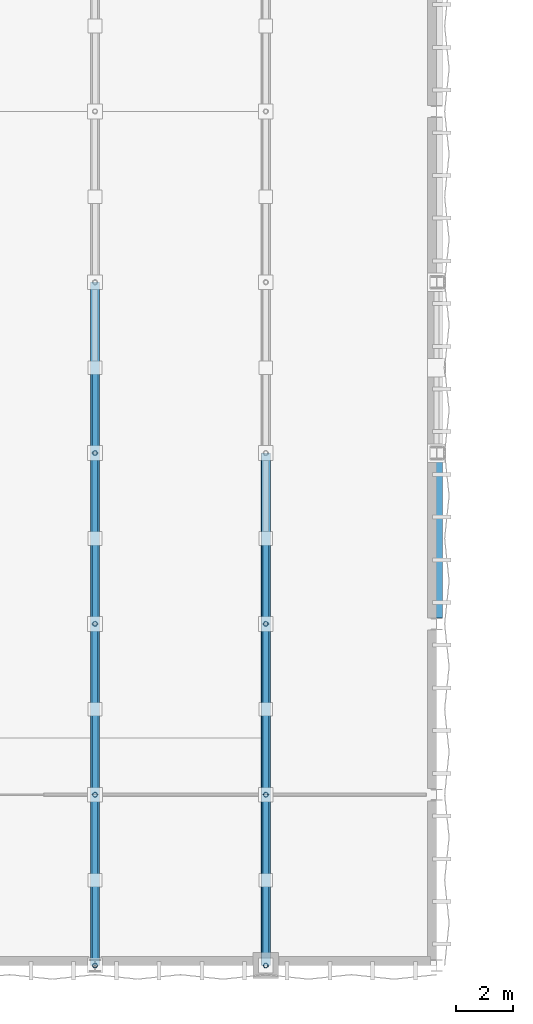
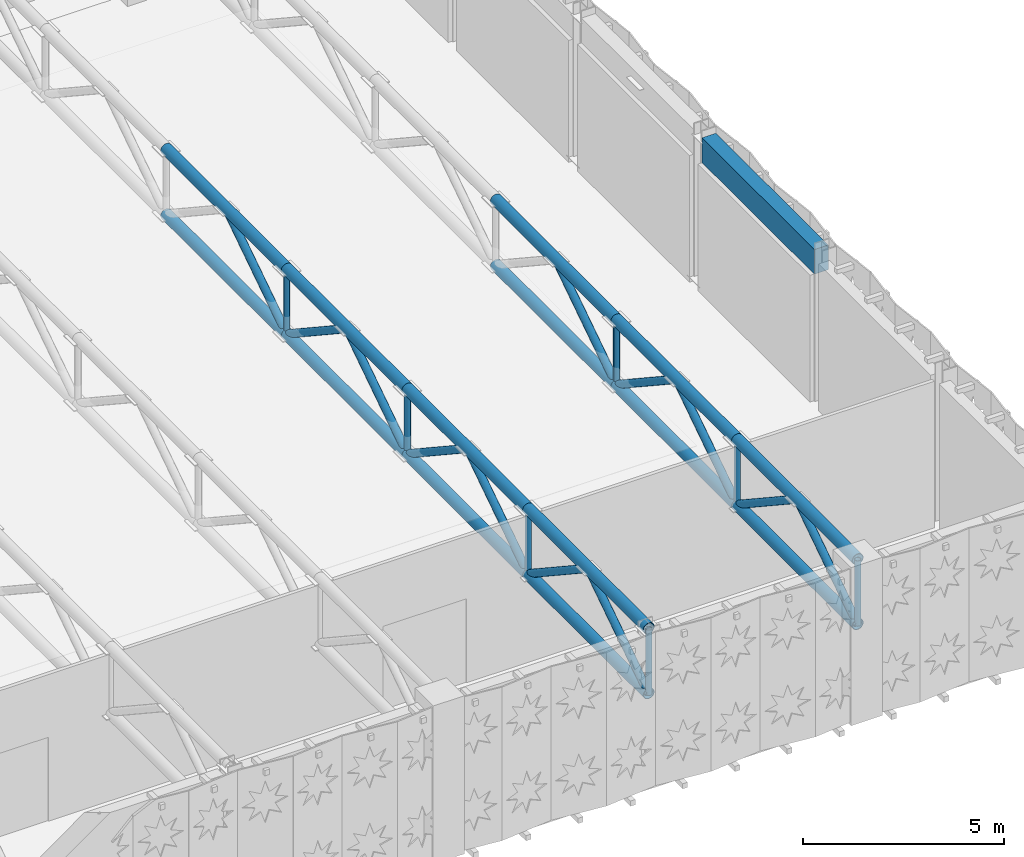
# One storey, part 64 of 123: 33 members, 1 beam.
"""IFC4 building model written with IfcOpenShell, lengths in metres."""

from ifc_helpers import new_model, si_unit, direction, frame, origin, origin_2d, place, context, subcontext, project, spatial, rectangle, hollow_circle, extrude, material, material_profile, profile_set, type_object, element, save


model = new_model("IFC4")

# Units and contexts
model_context = context("Model", 3, precision=1e-05, world=origin(), true_north=direction((0.0, 1.0)))
body_context = subcontext(model_context, "Body", "Model", "MODEL_VIEW")
ifc_project = project(units=[si_unit("LENGTHUNIT", "METRE"), si_unit("AREAUNIT", "SQUARE_METRE"), si_unit("VOLUMEUNIT", "CUBIC_METRE"), si_unit("PLANEANGLEUNIT", "RADIAN"), si_unit("MASSUNIT", "GRAM", prefix="KILO"), si_unit("THERMODYNAMICTEMPERATUREUNIT", "KELVIN"), si_unit("POWERUNIT", "WATT")], contexts=[model_context])

# Site, building, storey
site_placement = place(None, origin())
site = spatial("IfcSite", under=ifc_project, at=site_placement, CompositionType="ELEMENT")
building_placement = place(site_placement, origin())
building = spatial("IfcBuilding", under=site, at=building_placement, Name="Phaisarnlok Congress Hotel", CompositionType="ELEMENT")
storey_placement = place(building_placement, frame((0.0, 0.0, 15.0)))
storey = spatial("IfcBuildingStorey", under=building, at=storey_placement, Name="L03", CompositionType="ELEMENT", Elevation=15.0)

# Members
ifc_material_1 = material(Name="Steel S355", Category="steel")
ifc_material_profile_1 = material_profile(ifc_material_1, hollow_circle(Radius=0.084228515625, WallThickness=0.010009765625, at=origin_2d()), Name="CHS 168.3x10")
ifc_profile_set_1 = profile_set([ifc_material_profile_1], Name="Steel S355")
member_type_1 = type_object("IfcMemberType", Name="MEM-BRC-CHS168", PredefinedType="BRACE", material=ifc_profile_set_1)
for number, where, z_axis, x_axis, name in (
    (1, (132.0, 0.0, 2.64990234375), (0.0, 0.0, 1.0), (1.0, 0.0, 0.0), "Ballroom truss vertical web TB-01"),
    (2, (132.0, 6.0, 2.64990234375), (0.0, 0.0, 1.0), (1.0, 0.0, 0.0), "Ballroom truss vertical web TB-01"),
    (3, (132.0, 12.0, 2.64990234375), (0.0, 0.0, 1.0), (1.0, 0.0, 0.0), "Ballroom truss vertical web TB-01"),
    (4, (132.0, 18.0, 2.64990234375), (0.0, 0.0, 1.0), (1.0, 0.0, 0.0), "Ballroom truss vertical web TB-01"),
    (5, (138.0, 0.0, 2.64990234375), (0.0, 0.0, 1.0), (1.0, 0.0, 0.0), "Ballroom truss vertical web TB-01"),
    (6, (138.0, 6.0, 2.64990234375), (0.0, 0.0, 1.0), (1.0, 0.0, 0.0), "Ballroom truss vertical web TB-01"),
    (7, (138.0, 12.0, 2.64990234375), (0.0, 0.0, 1.0), (1.0, 0.0, 0.0), "Ballroom truss vertical web TB-01"),
):
    element("IfcMember", number, at=place(storey_placement, frame(where, z_axis=z_axis, x_axis=x_axis)), inside=storey, type_object=member_type_1, Name=name, PredefinedType="BRACE", context=body_context, shape_type="SweptSolid", body=[
        extrude(hollow_circle(Radius=0.084228515625, WallThickness=0.010009765625, at=origin_2d()), origin(), (0.0, 0.0, 1.0), 1.97998046875),
    ])
ifc_material_profile_2 = material_profile(ifc_material_1, hollow_circle(Radius=0.109619140625, WallThickness=0.012451171875, at=origin_2d()), Name="CHS 219.1x12.5")
ifc_profile_set_2 = profile_set([ifc_material_profile_2], Name="Steel S355")
member_type_2 = type_object("IfcMemberType", Name="MEM-BRC-CHS219", PredefinedType="BRACE", material=ifc_profile_set_2)
for number, where, z_axis, x_axis, name in (
    (8, (132.0, 0.0, 2.64990234375), (0.0, 0.834611904619, 0.550838423377), (-1.0, 0.0, 0.0), "Ballroom truss diagonal web TB-02"),
    (9, (132.0, 6.0, 2.64990234375), (0.0, -0.834611904619, 0.550838423377), (1.0, 0.0, 0.0), "Ballroom truss diagonal web TB-02"),
    (10, (132.0, 6.0, 2.64990234375), (0.0, 0.834611904619, 0.550838423377), (-1.0, 0.0, 0.0), "Ballroom truss diagonal web TB-02"),
    (11, (132.0, 12.0, 2.64990234375), (0.0, -0.834611904619, 0.550838423377), (1.0, 0.0, 0.0), "Ballroom truss diagonal web TB-02"),
    (12, (132.0, 12.0, 2.64990234375), (0.0, 0.834611904619, 0.550838423377), (-1.0, 0.0, 0.0), "Ballroom truss diagonal web TB-02"),
    (13, (132.0, 18.0, 2.64990234375), (0.0, -0.834611904619, 0.550838423377), (1.0, 0.0, 0.0), "Ballroom truss diagonal web TB-02"),
    (14, (132.0, 18.0, 2.64990234375), (0.0, 0.834611904619, 0.550838423377), (-1.0, 0.0, 0.0), "Ballroom truss diagonal web TB-02"),
    (15, (138.0, 0.0, 2.64990234375), (0.0, 0.834611904619, 0.550838423377), (-1.0, 0.0, 0.0), "Ballroom truss diagonal web TB-02"),
    (16, (138.0, 6.0, 2.64990234375), (0.0, -0.834611904619, 0.550838423377), (1.0, 0.0, 0.0), "Ballroom truss diagonal web TB-02"),
    (17, (138.0, 6.0, 2.64990234375), (0.0, 0.834611904619, 0.550838423377), (-1.0, 0.0, 0.0), "Ballroom truss diagonal web TB-02"),
    (18, (138.0, 12.0, 2.64990234375), (0.0, -0.834611904619, 0.550838423377), (1.0, 0.0, 0.0), "Ballroom truss diagonal web TB-02"),
    (19, (138.0, 12.0, 2.64990234375), (0.0, 0.834611904619, 0.550838423377), (-1.0, 0.0, 0.0), "Ballroom truss diagonal web TB-02"),
):
    element("IfcMember", number, at=place(storey_placement, frame(where, z_axis=z_axis, x_axis=x_axis)), inside=storey, type_object=member_type_2, Name=name, PredefinedType="BRACE", context=body_context, shape_type="SweptSolid", body=[
        extrude(hollow_circle(Radius=0.109619140625, WallThickness=0.012451171875, at=origin_2d()), origin(), (0.0, 0.0, 1.0), 3.594482421875),
    ])
ifc_material_profile_3 = material_profile(ifc_material_1, hollow_circle(Radius=0.161865234375, WallThickness=0.01611328125, at=origin_2d()), Name="CHS 323.9x16")
ifc_profile_set_3 = profile_set([ifc_material_profile_3], Name="Steel S355")
member_type_3 = type_object("IfcMemberType", Name="MEM-CHD-CHS324", PredefinedType="CHORD", material=ifc_profile_set_3)
for number, where, z_axis, x_axis, name in (
    (20, (132.0, 0.0, 4.6298828125), (0.0, 1.0, 0.0), (-1.0, 0.0, 0.0), "Ballroom truss top chord TC-02"),
    (21, (132.0, 0.0, 2.64990234375), (0.0, 1.0, 0.0), (-1.0, 0.0, 0.0), "Ballroom truss bottom chord TC-02"),
    (22, (132.0, 6.0, 4.6298828125), (0.0, 1.0, 0.0), (-1.0, 0.0, 0.0), "Ballroom truss top chord TC-02"),
    (23, (132.0, 6.0, 2.64990234375), (0.0, 1.0, 0.0), (-1.0, 0.0, 0.0), "Ballroom truss bottom chord TC-02"),
    (24, (132.0, 12.0, 4.6298828125), (0.0, 1.0, 0.0), (-1.0, 0.0, 0.0), "Ballroom truss top chord TC-02"),
    (25, (132.0, 12.0, 2.64990234375), (0.0, 1.0, 0.0), (-1.0, 0.0, 0.0), "Ballroom truss bottom chord TC-02"),
    (26, (132.0, 18.0, 4.6298828125), (0.0, 1.0, 0.0), (-1.0, 0.0, 0.0), "Ballroom truss top chord TC-02"),
    (27, (132.0, 18.0, 2.64990234375), (0.0, 1.0, 0.0), (-1.0, 0.0, 0.0), "Ballroom truss bottom chord TC-02"),
    (28, (138.0, 0.0, 4.6298828125), (0.0, 1.0, 0.0), (-1.0, 0.0, 0.0), "Ballroom truss top chord TC-02"),
    (29, (138.0, 0.0, 2.64990234375), (0.0, 1.0, 0.0), (-1.0, 0.0, 0.0), "Ballroom truss bottom chord TC-02"),
    (30, (138.0, 6.0, 4.6298828125), (0.0, 1.0, 0.0), (-1.0, 0.0, 0.0), "Ballroom truss top chord TC-02"),
    (31, (138.0, 6.0, 2.64990234375), (0.0, 1.0, 0.0), (-1.0, 0.0, 0.0), "Ballroom truss bottom chord TC-02"),
    (32, (138.0, 12.0, 4.6298828125), (0.0, 1.0, 0.0), (-1.0, 0.0, 0.0), "Ballroom truss top chord TC-02"),
    (33, (138.0, 12.0, 2.64990234375), (0.0, 1.0, 0.0), (-1.0, 0.0, 0.0), "Ballroom truss bottom chord TC-02"),
):
    element("IfcMember", number, at=place(storey_placement, frame(where, z_axis=z_axis, x_axis=x_axis)), inside=storey, type_object=member_type_3, Name=name, PredefinedType="CHORD", context=body_context, shape_type="SweptSolid", body=[
        extrude(hollow_circle(Radius=0.161865234375, WallThickness=0.01611328125, at=origin_2d()), origin(), (0.0, 0.0, 1.0), 6.0),
    ])

# Beam
ifc_material_2 = material(Name="Concrete C40/50", Category="concrete")
ifc_material_profile_4 = material_profile(ifc_material_2, rectangle(XDim=0.39990234375, YDim=0.75, at=origin_2d()), Name="RC 400x750")
ifc_profile_set_4 = profile_set([ifc_material_profile_4], Name="Concrete C40/50")
beam_type = type_object("IfcBeamType", Name="SP-RC-400x750", PredefinedType="SPANDREL", material=ifc_profile_set_4)
beam_placement = place(storey_placement, frame((144.0, 12.202880859375, 4.219970703125), z_axis=(0.0, 1.0, 0.0), x_axis=(-1.0, 0.0, 0.0)))
element("IfcBeam", 34, at=beam_placement, inside=storey, type_object=beam_type, Name="Beam SP-02", PredefinedType="SPANDREL", context=body_context, shape_type="SweptSolid", body=[
    extrude(rectangle(XDim=0.39990234375, YDim=0.75, at=origin_2d()), origin(), (0.0, 0.0, 1.0), 5.59423828125),
])

save(model, "model.ifc")
